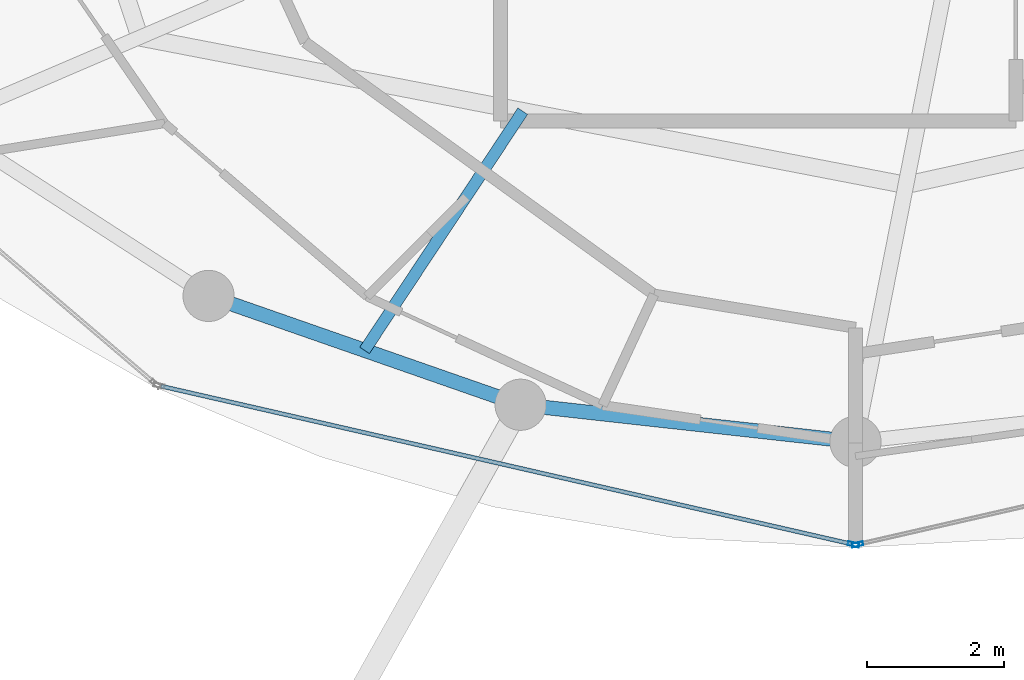
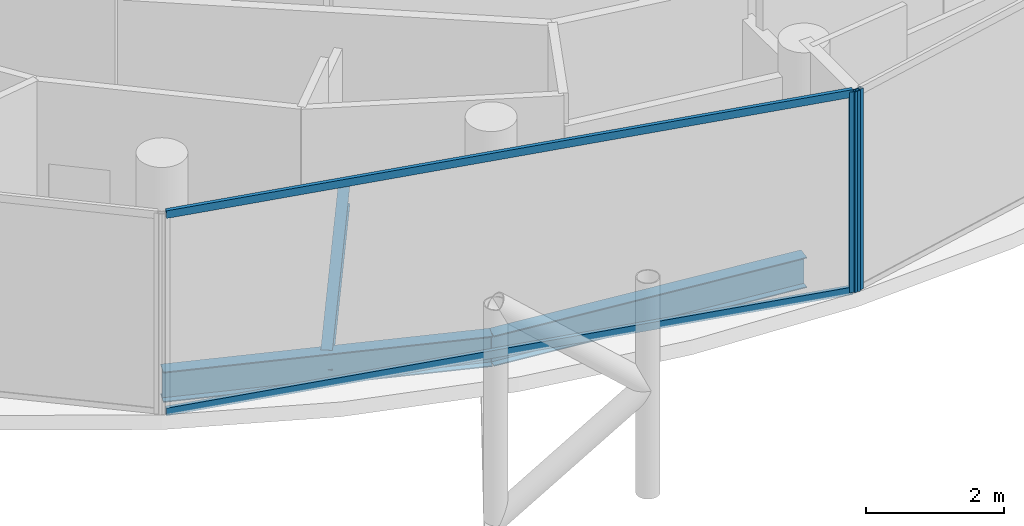
# One storey, part 4 of 24: 4 members, 3 beams, 2 elements without a shape of their own.
"""IFC4 building model written with IfcOpenShell, lengths in metres."""

from ifc_helpers import new_model, si_unit, direction, frame, origin, origin_2d, place, context, subcontext, project, spatial, hollow_rectangle, i_section, extrude, material, layer, layer_set, material_profile, profile_set, type_object, element, aggregate, save


model = new_model("IFC4")

# Units and contexts
model_context = context("Model", 3, precision=1e-05, world=origin(), true_north=direction((0.0, 1.0)))
body_context = subcontext(model_context, "Body", "Model", "MODEL_VIEW")
ifc_project = project(units=[si_unit("LENGTHUNIT", "METRE"), si_unit("AREAUNIT", "SQUARE_METRE"), si_unit("VOLUMEUNIT", "CUBIC_METRE"), si_unit("PLANEANGLEUNIT", "RADIAN"), si_unit("MASSUNIT", "GRAM", prefix="KILO")], contexts=[model_context])

# Site, building, storey
site_placement = place(None, origin())
site = spatial("IfcSite", under=ifc_project, at=site_placement, CompositionType="ELEMENT")
building_placement = place(site_placement, origin())
building = spatial("IfcBuilding", under=site, at=building_placement, Name="Nuhasar Tower", CompositionType="ELEMENT")
storey_placement = place(building_placement, frame((0.0, 0.0, 274.60009765625)))
storey = spatial("IfcBuildingStorey", under=building, at=storey_placement, Name="L68", CompositionType="ELEMENT", Elevation=274.60009765625)

# Beams
ifc_material_1 = material(Name="Steel S355", Category="steel")
ifc_material_profile_1 = material_profile(ifc_material_1, i_section(OverallWidth=0.1708984375, OverallDepth=0.35205078125, WebThickness=0.0068359375, FlangeThickness=0.009765625, at=origin_2d()), Name="W14X30")
ifc_profile_set_1 = profile_set([ifc_material_profile_1], Name="Steel S355")
beam_type_1 = type_object("IfcBeamType", Name="BM-JST-W14X30", PredefinedType="JOIST", material=ifc_profile_set_1)
beam_1_placement = place(storey_placement, frame((34.126953125, 15.693115234375, -0.43603515625), z_axis=(-0.551638003526, -0.834083636733, 0.0), x_axis=(0.834083636733, -0.551638003526, 0.0)))
element("IfcBeam", 1, at=beam_1_placement, inside=storey, type_object=beam_type_1, Name="L68 Secondary Floor Joist 01", PredefinedType="JOIST", context=body_context, shape_type="SweptSolid", body=[
    extrude(i_section(OverallWidth=0.1708984375, OverallDepth=0.35205078125, WebThickness=0.0068359375, FlangeThickness=0.009765625, at=origin_2d()), origin(), (0.0, 0.0, 1.0), 4.199951171875),
])
ifc_material_profile_2 = material_profile(ifc_material_1, i_section(OverallWidth=0.2099609375, OverallDepth=0.537109375, WebThickness=0.010986328125, FlangeThickness=0.017333984375, at=origin_2d()), Name="W21X68")
ifc_profile_set_2 = profile_set([ifc_material_profile_2], Name="Steel S355")
beam_type_2 = type_object("IfcBeamType", Name="BM-RING-W21X68", PredefinedType="SPANDREL", material=ifc_profile_set_2)
beam_2_placement = place(storey_placement, frame((29.52490234375, 12.987060546875, -0.529052734375), z_axis=(0.944214043504, -0.329332415729, 0.0), x_axis=(0.329332415729, 0.944214043504, 0.0)))
element("IfcBeam", 2, at=beam_2_placement, inside=storey, type_object=beam_type_2, Name="L68 Perimeter Ring Spandrel 17", PredefinedType="SPANDREL", context=body_context, shape_type="SweptSolid", body=[
    extrude(i_section(OverallWidth=0.2099609375, OverallDepth=0.537109375, WebThickness=0.010986328125, FlangeThickness=0.017333984375, at=origin_2d()), origin(), (0.0, 0.0, 1.0), 4.840087890625),
])
beam_3_placement = place(storey_placement, frame((34.094970703125, 11.39306640625, -0.529052734375), z_axis=(0.99392889943, -0.110024283128, 0.0), x_axis=(0.110024283128, 0.99392889943, 0.0)))
element("IfcBeam", 3, at=beam_3_placement, inside=storey, type_object=beam_type_2, Name="L68 Perimeter Ring Spandrel 18", PredefinedType="SPANDREL", context=body_context, shape_type="SweptSolid", body=[
    extrude(i_section(OverallWidth=0.2099609375, OverallDepth=0.537109375, WebThickness=0.010986328125, FlangeThickness=0.017333984375, at=origin_2d()), origin(), (0.0, 0.0, 1.0), 4.93505859375),
])

# Curtain wall, member
ifc_material_2 = material(Name="Aluminium 6063-T6", Category="aluminium")
ifc_layer = layer(ifc_material_2, 0.18994140625)
ifc_layer_set = layer_set([ifc_layer], Name="Aluminium 6063-T6")
curtain_wall_type = type_object("IfcCurtainWallType", Name="CW-Z4-PEN", PredefinedType="NOTDEFINED", material=ifc_layer_set)
curtain_wall_1_placement = place(storey_placement, origin())
curtain_wall_1 = element("IfcCurtainWall", 4, at=curtain_wall_1_placement, inside=storey, type_object=curtain_wall_type, Name="L68 Unitised Curtain Wall 09", PredefinedType="NOTDEFINED")
ifc_material_profile_3 = material_profile(ifc_material_2, hollow_rectangle(XDim=0.06005859375, YDim=0.1650390625, WallThickness=0.0048828125, at=origin_2d()), Name="CWM-5")
ifc_profile_set_3 = profile_set([ifc_material_profile_3], Name="Aluminium 6063-T6")
member_type_1 = type_object("IfcMemberType", Name="CW-MUL-S5", PredefinedType="MULLION", material=ifc_profile_set_3)
member_1_placement = place(storey_placement, frame((38.970703125, 9.3466796875, 0.0), z_axis=(0.0, 0.0, 1.0), x_axis=(0.222889487645, 0.97484371891, 0.0)))
member_1 = element("IfcMember", 5, at=member_1_placement, type_object=member_type_1, Name="CW-Z4 mullion 2", PredefinedType="MULLION", context=body_context, shape_type="SweptSolid", body=[
    extrude(hollow_rectangle(XDim=0.06005859375, YDim=0.1650390625, WallThickness=0.0048828125, at=origin_2d()), origin(), (0.0, 0.0, 1.0), 3.539794921875),
])

curtain_wall_2_placement = place(storey_placement, origin())
curtain_wall_2 = element("IfcCurtainWall", 6, at=curtain_wall_2_placement, inside=storey, type_object=curtain_wall_type, Name="L68 Unitised Curtain Wall 10", PredefinedType="NOTDEFINED")
member_2_placement = place(storey_placement, frame((39.029296875, 9.3466796875, 0.0), z_axis=(0.0, 0.0, 1.0), x_axis=(-0.222889487645, 0.97484371891, 0.0)))
member_2 = element("IfcMember", 7, at=member_2_placement, type_object=member_type_1, Name="CW-Z4 mullion 1", PredefinedType="MULLION", context=body_context, shape_type="SweptSolid", body=[
    extrude(hollow_rectangle(XDim=0.06005859375, YDim=0.1650390625, WallThickness=0.0048828125, at=origin_2d()), origin(), (0.0, 0.0, 1.0), 3.539794921875),
])
aggregate(curtain_wall_2, [member_2])

# Member
ifc_material_profile_4 = material_profile(ifc_material_2, hollow_rectangle(XDim=0.06005859375, YDim=0.135009765625, WallThickness=0.00439453125, at=origin_2d()), Name="CWT-5")
ifc_profile_set_4 = profile_set([ifc_material_profile_4], Name="Aluminium 6063-T6")
member_type_2 = type_object("IfcMemberType", Name="CW-TRN-S5", PredefinedType="USERDEFINED", material=ifc_profile_set_4)
member_3_placement = place(storey_placement, frame((28.828369140625, 11.66552734375, 0.02978515625), z_axis=(0.974843752401, -0.222889341163, 0.0), x_axis=(0.222889341163, 0.974843752401, 0.0)))
member_3 = element("IfcMember", 8, at=member_3_placement, type_object=member_type_2, Name="CW-Z4 transom 1.1", ObjectType="TRANSOM", PredefinedType="USERDEFINED", context=body_context, shape_type="SweptSolid", body=[
    extrude(hollow_rectangle(XDim=0.06005859375, YDim=0.135009765625, WallThickness=0.00439453125, at=origin_2d()), origin(), (0.0, 0.0, 1.0), 10.3740234375),
])

member_4_placement = place(storey_placement, frame((28.828369140625, 11.66552734375, 3.510009765625), z_axis=(0.974843752401, -0.222889341163, 0.0), x_axis=(0.222889341163, 0.974843752401, 0.0)))
member_4 = element("IfcMember", 9, at=member_4_placement, type_object=member_type_2, Name="CW-Z4 transom 1.2", ObjectType="TRANSOM", PredefinedType="USERDEFINED", context=body_context, shape_type="SweptSolid", body=[
    extrude(hollow_rectangle(XDim=0.06005859375, YDim=0.135009765625, WallThickness=0.00439453125, at=origin_2d()), origin(), (0.0, 0.0, 1.0), 10.3740234375),
])

aggregate(curtain_wall_1, [member_1, member_3, member_4])

save(model, "model.ifc")
